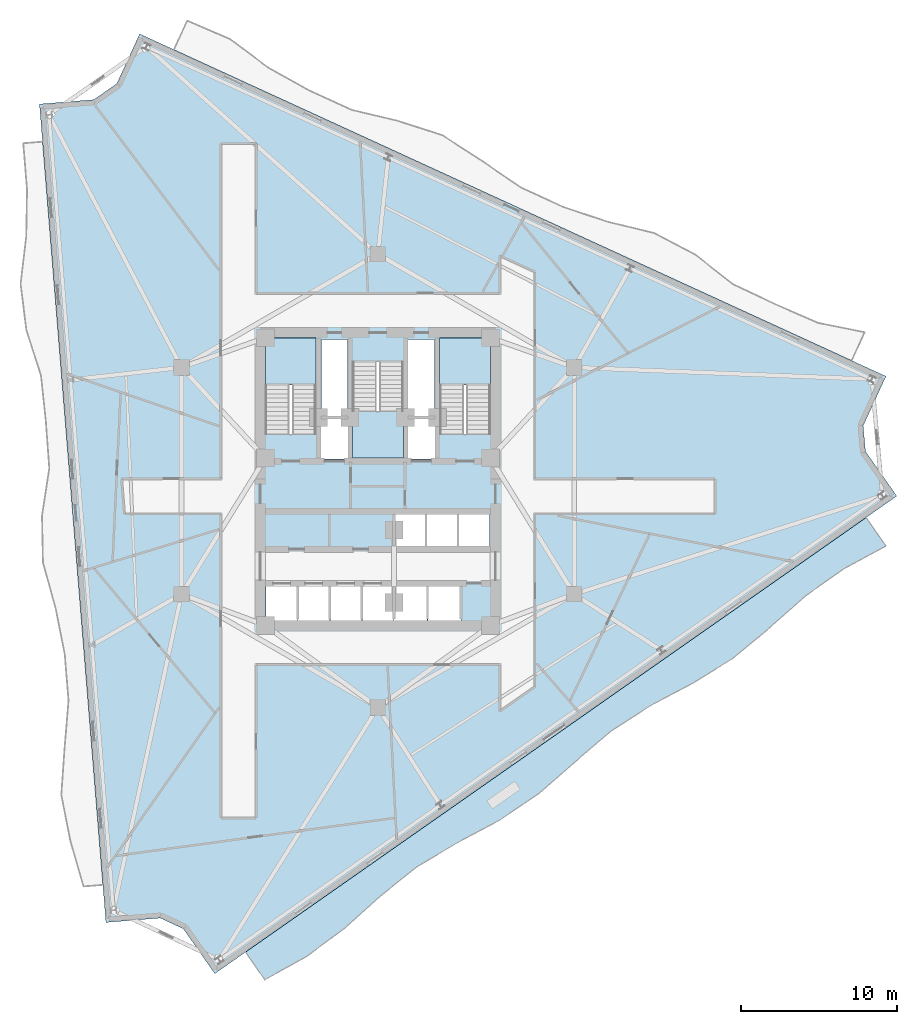
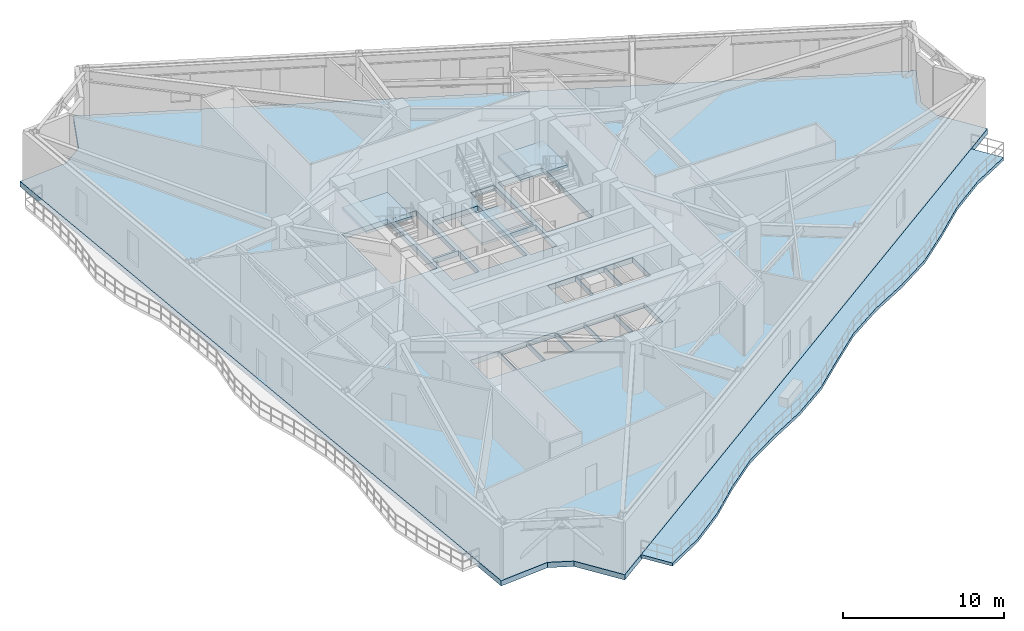
# One storey, part 5 of 14: 5 slabs, 3 elements without a shape of their own.
"""IFC4 building model written with IfcOpenShell, lengths in metres."""

from ifc_helpers import new_model, si_unit, direction, frame, origin, place, context, subcontext, project, spatial, polyline, outline, extrude, material, layer, layer_set, type_object, element, aggregate, save


model = new_model("IFC4")

# Units and contexts
model_context = context("Model", 3, precision=1e-05, world=origin(), true_north=direction((0.0, 1.0)))
body_context = subcontext(model_context, "Body", "Model", "MODEL_VIEW")
ifc_project = project(units=[si_unit("LENGTHUNIT", "METRE"), si_unit("AREAUNIT", "SQUARE_METRE"), si_unit("VOLUMEUNIT", "CUBIC_METRE"), si_unit("PLANEANGLEUNIT", "RADIAN"), si_unit("MASSUNIT", "GRAM", prefix="KILO")], contexts=[model_context])

# Site, building, storey
site_placement = place(None, origin())
site = spatial("IfcSite", under=ifc_project, at=site_placement, CompositionType="ELEMENT")
building_placement = place(site_placement, origin())
building = spatial("IfcBuilding", under=site, at=building_placement, Name="Apsidion Concourse Tower", CompositionType="ELEMENT")
storey_placement = place(building_placement, frame((0.0, 0.0, 194.199951171875)))
storey = spatial("IfcBuildingStorey", under=building, at=storey_placement, Name="L45", CompositionType="ELEMENT", Elevation=194.199951171875)

# Slab
ifc_material_1 = material(Name="Concrete C50/60", Category="concrete")
ifc_layer_1 = layer(ifc_material_1, 0.39990234375)
ifc_layer_set_1 = layer_set([ifc_layer_1], Name="Concrete C50/60")
slab_type_1 = type_object("IfcSlabType", Name="SL-FLR-400", PredefinedType="FLOOR", material=ifc_layer_set_1)
slab_1_placement = place(storey_placement, frame((0.0, 0.0, -0.39990234375)))
element("IfcSlab", 1, at=slab_1_placement, inside=storey, type_object=slab_type_1, Name="L45 Structural Floor Slab", PredefinedType="FLOOR", context=body_context, shape_type="SweptSolid", body=[
    extrude(outline(polyline([(-15.241943359375, 28.5869140625), (-16.6982421875, 25.41259765625), (-18.1689453125, 24.3828125), (-21.64990234375, 24.10009765625), (-17.39892578125, -28.25537109375), (-13.91796875, -27.972900390625), (-12.436279296875, -28.669189453125), (-10.43310546875, -31.530029296875), (33.197021484375, -0.97998046875), (31.19384765625, 1.880859375), (31.0458984375, 3.51123046875), (32.502197265625, 6.685791015625), (-15.241943359375, 28.5869140625)]), holes=[polyline([(-3.949951171875, 3.0), (-3.949951171875, 9.14990234375), (-7.199951171875, 9.14990234375), (-7.199951171875, 3.0), (-3.949951171875, 3.0)]), polyline([(7.199951171875, 3.0), (7.199951171875, 9.14990234375), (3.949951171875, 9.14990234375), (3.949951171875, 3.0), (7.199951171875, 3.0)]), polyline([(-1.625, 7.60009765625), (-1.625, 1.449951171875), (1.625, 1.449951171875), (1.625, 7.60009765625), (-1.625, 7.60009765625)]), polyline([(1.054931640625, -4.300048828125), (3.044921875, -4.300048828125), (3.044921875, -2.050048828125), (1.054931640625, -2.050048828125), (1.054931640625, -4.300048828125)]), polyline([(3.10498046875, -4.300048828125), (5.094970703125, -4.300048828125), (5.094970703125, -2.050048828125), (3.10498046875, -2.050048828125), (3.10498046875, -4.300048828125)]), polyline([(5.155029296875, -4.300048828125), (7.14501953125, -4.300048828125), (7.14501953125, -2.050048828125), (5.155029296875, -2.050048828125), (5.155029296875, -4.300048828125)]), polyline([(-7.14501953125, -8.949951171875), (-5.155029296875, -8.949951171875), (-5.155029296875, -6.64990234375), (-7.14501953125, -6.64990234375), (-7.14501953125, -8.949951171875)]), polyline([(-5.094970703125, -8.949951171875), (-3.10498046875, -8.949951171875), (-3.10498046875, -6.64990234375), (-5.094970703125, -6.64990234375), (-5.094970703125, -8.949951171875)]), polyline([(-3.044921875, -8.949951171875), (-1.054931640625, -8.949951171875), (-1.054931640625, -6.64990234375), (-3.044921875, -6.64990234375), (-3.044921875, -8.949951171875)]), polyline([(-0.9951171875, -8.949951171875), (0.9951171875, -8.949951171875), (0.9951171875, -6.64990234375), (-0.9951171875, -6.64990234375), (-0.9951171875, -8.949951171875)]), polyline([(1.044921875, -9.0), (3.155029296875, -9.0), (3.155029296875, -6.64990234375), (1.044921875, -6.64990234375), (1.044921875, -9.0)]), polyline([(3.195068359375, -9.0), (5.304931640625, -9.0), (5.304931640625, -6.64990234375), (3.195068359375, -6.64990234375), (3.195068359375, -9.0)]), polyline([(-3.7099609375, 1.39990234375), (-1.85009765625, 1.39990234375), (-1.85009765625, 4.0), (-3.7099609375, 4.0), (-3.7099609375, 1.39990234375)]), polyline([(1.85009765625, 1.39990234375), (3.7099609375, 1.39990234375), (3.7099609375, 4.0), (1.85009765625, 4.0), (1.85009765625, 1.39990234375)]), polyline([(-3.6201171875, 4.14990234375), (-1.93994140625, 4.14990234375), (-1.93994140625, 9.050048828125), (-3.6201171875, 9.050048828125), (-3.6201171875, 4.14990234375)]), polyline([(1.93994140625, 4.14990234375), (3.6201171875, 4.14990234375), (3.6201171875, 9.050048828125), (1.93994140625, 9.050048828125), (1.93994140625, 4.14990234375)])]), origin(), (0.0, 0.0, 1.0), 0.39990234375),
])

# Stair, slab
ifc_material_2 = material(Name="Precast concrete C40/50", Category="concrete")
stair_type = type_object("IfcStairType", Name="ST-DL-1550", PredefinedType="HALF_TURN_STAIR", material=ifc_material_2)
stair_1_placement = place(storey_placement, origin())
stair_1 = element("IfcStair", 2, at=stair_1_placement, inside=storey, type_object=stair_type, Name="L45 Protected Core Exit Stair ST1", PredefinedType="HALF_TURN_STAIR")
ifc_layer_2 = layer(ifc_material_1, 0.199951171875)
ifc_layer_set_2 = layer_set([ifc_layer_2], Name="Concrete C50/60")
slab_type_2 = type_object("IfcSlabType", Name="SL-ST-LAND-200", PredefinedType="LANDING", material=ifc_layer_set_2)
slab_2_placement = place(storey_placement, frame((0.0, 0.0, 1.85009765625)))
slab_2 = element("IfcSlab", 3, at=slab_2_placement, type_object=slab_type_2, Name="ST1 landing 1", PredefinedType="LANDING", context=body_context, shape_type="SweptSolid", body=[
    extrude(outline(polyline([(-3.949951171875, 6.135009765625), (-3.949951171875, 9.14990234375), (-7.199951171875, 9.14990234375), (-7.199951171875, 6.135009765625), (-3.949951171875, 6.135009765625)])), origin(), (0.0, 0.0, 1.0), 0.199951171875),
])
aggregate(stair_1, [slab_2])

stair_2_placement = place(storey_placement, origin())
stair_2 = element("IfcStair", 4, at=stair_2_placement, inside=storey, type_object=stair_type, Name="L45 Protected Core Exit Stair ST2", PredefinedType="HALF_TURN_STAIR")
slab_3_placement = place(storey_placement, frame((0.0, 0.0, 1.85009765625)))
slab_3 = element("IfcSlab", 5, at=slab_3_placement, type_object=slab_type_2, Name="ST2 landing 1", PredefinedType="LANDING", context=body_context, shape_type="SweptSolid", body=[
    extrude(outline(polyline([(7.199951171875, 6.135009765625), (7.199951171875, 9.14990234375), (3.949951171875, 9.14990234375), (3.949951171875, 6.135009765625), (7.199951171875, 6.135009765625)])), origin(), (0.0, 0.0, 1.0), 0.199951171875),
])
aggregate(stair_2, [slab_3])

stair_3_placement = place(storey_placement, origin())
stair_3 = element("IfcStair", 6, at=stair_3_placement, inside=storey, type_object=stair_type, Name="L45 Protected Core Exit Stair ST3", PredefinedType="HALF_TURN_STAIR")
slab_4_placement = place(storey_placement, frame((0.0, 0.0, 1.85009765625)))
slab_4 = element("IfcSlab", 7, at=slab_4_placement, type_object=slab_type_2, Name="ST3 landing 1", PredefinedType="LANDING", context=body_context, shape_type="SweptSolid", body=[
    extrude(outline(polyline([(-1.625, 4.465087890625), (-1.625, 1.449951171875), (1.625, 1.449951171875), (1.625, 4.465087890625), (-1.625, 4.465087890625)])), origin(), (0.0, 0.0, 1.0), 0.199951171875),
])
aggregate(stair_3, [slab_4])

# Slab
ifc_layer_3 = layer(ifc_material_1, 0.239990234375)
ifc_layer_set_3 = layer_set([ifc_layer_3], Name="Concrete C50/60")
slab_type_3 = type_object("IfcSlabType", Name="SL-TERR-240", PredefinedType="ROOF", material=ifc_layer_set_3)
slab_5_placement = place(storey_placement, frame((0.0, 0.0, -0.239990234375)))
element("IfcSlab", 8, at=slab_5_placement, inside=storey, type_object=slab_type_3, Name="L45 Face 2 Spiral Sky-Terrace Slab", PredefinedType="ROOF", context=body_context, shape_type="SweptSolid", body=[
    extrude(outline(polyline([(-8.46728515625, -30.153564453125), (-5.986083984375, -28.416259765625), (-3.5048828125, -26.678955078125), (-1.023681640625, -24.941650390625), (1.457275390625, -23.204345703125), (3.9384765625, -21.467041015625), (6.419677734375, -19.729736328125), (8.90087890625, -17.992431640625), (11.3818359375, -16.255126953125), (13.863037109375, -14.517578125), (16.34423828125, -12.780517578125), (18.8251953125, -11.043212890625), (21.306396484375, -9.305908203125), (23.78759765625, -7.568603515625), (26.268798828125, -5.831298828125), (28.75, -4.093994140625), (31.23095703125, -2.356689453125), (32.499267578125, -4.167724609375), (29.819091796875, -5.620849609375), (27.344970703125, -7.3681640625), (25.06787109375, -9.39697265625), (22.731689453125, -11.34130859375), (20.154296875, -12.94140625), (17.456787109375, -14.369384765625), (14.910400390625, -16.013671875), (12.597412109375, -17.9912109375), (10.306640625, -20.0), (7.798828125, -21.699462890625), (5.10791015625, -23.136962890625), (2.496826171875, -24.68896484375), (0.129150390625, -26.588134765625), (-2.1376953125, -28.63134765625), (-4.572998046875, -30.434326171875), (-7.23388671875, -31.914794921875), (-8.46728515625, -30.153564453125)])), origin(), (0.0, 0.0, 1.0), 0.239990234375),
])

save(model, "model.ifc")
